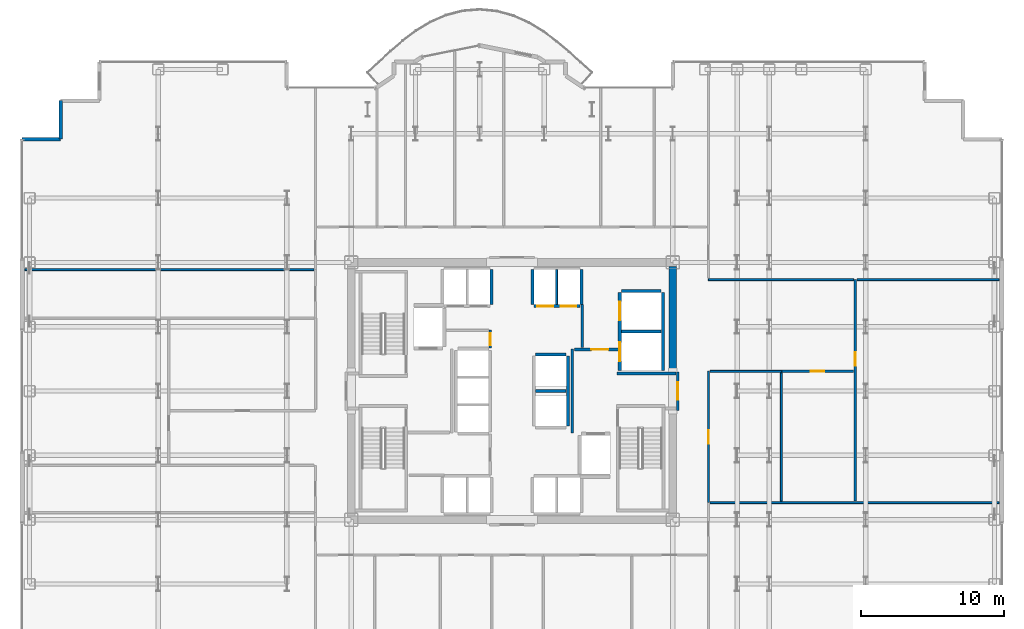
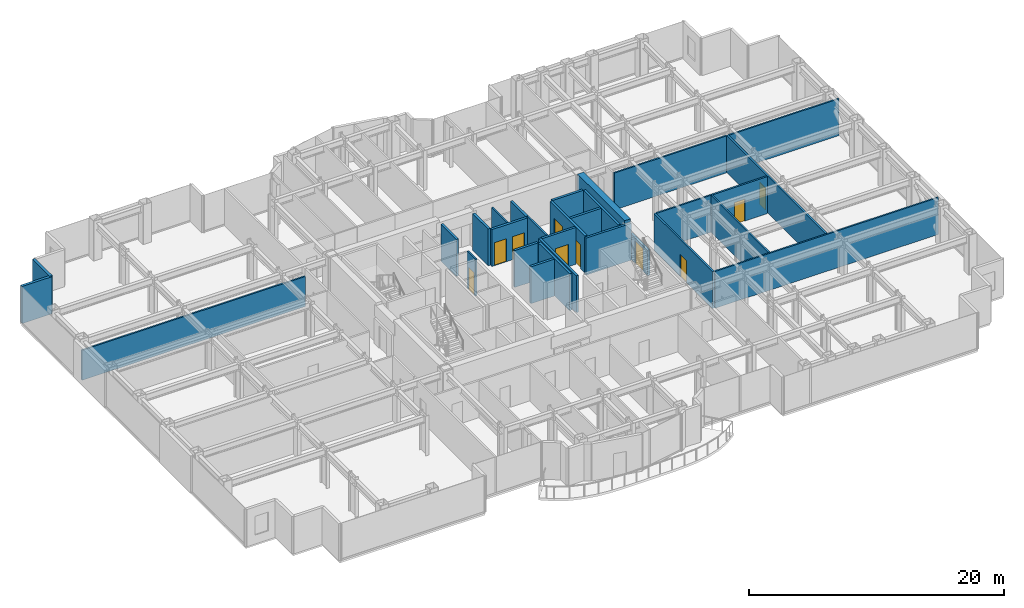
# One storey, part 25 of 29: 30 walls, 10 doors, 10 openings.
"""IFC4 building model written with IfcOpenShell, lengths in metres."""

import ifcopenshell
import ifcopenshell.guid

model = None  # the IFC model being written
_history = None  # IfcOwnerHistory: only IFC2X3 demands one
_inside = {}  # id of a spatial element -> (the spatial element, [elements in it])
_under = {}  # id of a project, library or spatial element -> (it, [spatial elements below it])
_declared = {}  # id of a project -> (the project, [libraries it declares])
_typed = {}  # id of a type object -> (the type object, [elements of that type])
_made_of = {}  # id of a material, layer set ... -> (it, [elements and type objects made of it])


def new_model(schema):
    """Start an empty IFC model of exactly this schema.

    Asked for "IFC4X3", IfcOpenShell would pick the latest addendum, in which some entities
    have other attributes; the version numbers below select the first issue.
    IFC2X3 requires an IfcOwnerHistory on every rooted entity: one is made here for all.
    """
    global model, _history
    if schema == "IFC4X3":
        model = ifcopenshell.file(schema_version=(4, 3, 0, 0))
    else:
        model = ifcopenshell.file(schema=schema)
    _inside.clear()
    _under.clear()
    _declared.clear()
    _typed.clear()
    _made_of.clear()
    _history = None
    if model.schema == "IFC2X3":
        org = make("IfcOrganization", Name="unknown")
        user = make(
            "IfcPersonAndOrganization",
            ThePerson=make("IfcPerson", FamilyName="unknown"),
            TheOrganization=org,
        )
        app = make(
            "IfcApplication",
            ApplicationDeveloper=org,
            Version="unknown",
            ApplicationFullName="unknown",
            ApplicationIdentifier="unknown",
        )
        _history = make(
            "IfcOwnerHistory",
            OwningUser=user,
            OwningApplication=app,
            ChangeAction="ADDED",
            CreationDate=0,
        )
    return model


def make(cls, **values):
    """One entity of the class cls with the attributes given. An attribute that is None is left unset."""
    return model.create_entity(
        cls, **{name: value for name, value in values.items() if value is not None}
    )


def rooted(cls, **values):
    """An entity with a GlobalId (a new one), such as an element, a storey or a relation."""
    return make(cls, GlobalId=ifcopenshell.guid.new(), OwnerHistory=_history, **values)


def si_unit(unit_type, name, prefix=None):
    """IfcSIUnit, for example si_unit("LENGTHUNIT", "METRE", prefix="MILLI")."""
    return make("IfcSIUnit", UnitType=unit_type, Prefix=prefix, Name=name)


def assignment(units):
    """IfcUnitAssignment: the units of a project."""
    return None if units is None else make("IfcUnitAssignment", Units=units)


def point(xyz):
    """IfcCartesianPoint."""
    return None if xyz is None else make("IfcCartesianPoint", Coordinates=xyz)


def direction(xyz):
    """IfcDirection."""
    return None if xyz is None else make("IfcDirection", DirectionRatios=xyz)


def frame(location, z_axis=None, x_axis=None):
    """IfcAxis2Placement3D, a coordinate frame: its origin and axes. An axis left out is left unset."""
    return make(
        "IfcAxis2Placement3D",
        Location=point(location),
        Axis=direction(z_axis),
        RefDirection=direction(x_axis),
    )


def frame_2d(location, x_axis=None):
    """IfcAxis2Placement2D, a coordinate frame in the plane: its origin and x axis."""
    return make(
        "IfcAxis2Placement2D", Location=point(location), RefDirection=direction(x_axis)
    )


def origin():
    """The frame at (0, 0, 0) with its axes left unset."""
    return frame((0.0, 0.0, 0.0))


def place(relative_to, where):
    """IfcLocalPlacement: puts the frame where relative to a parent placement (None: the world)."""
    return make(
        "IfcLocalPlacement", PlacementRelTo=relative_to, RelativePlacement=where
    )


def context(
    kind, dimensions, precision=None, world=None, true_north=None, identifier=None
):
    """IfcGeometricRepresentationContext, for example the 3D "Model" context."""
    return make(
        "IfcGeometricRepresentationContext",
        ContextIdentifier=identifier,
        ContextType=kind,
        CoordinateSpaceDimension=dimensions,
        Precision=precision,
        WorldCoordinateSystem=world,
        TrueNorth=true_north,
    )


def subcontext(parent, identifier, kind, view, scale=None):
    """IfcGeometricRepresentationSubContext, for example "Body" below "Model"."""
    return make(
        "IfcGeometricRepresentationSubContext",
        ContextIdentifier=identifier,
        ContextType=kind,
        ParentContext=parent,
        TargetScale=scale,
        TargetView=view,
    )


def project(units=None, contexts=None):
    """IfcProject with its units and contexts."""
    return rooted(
        "IfcProject",
        Name="project",
        RepresentationContexts=contexts,
        UnitsInContext=assignment(units),
    )


def spatial(cls, under=None, at=None, **own):
    """A site, building, storey or space (cls), placed at a placement, below another one or the project."""
    s = rooted(cls, ObjectPlacement=at, **own)
    if under is not None:
        _under.setdefault(under.id(), (under, []))[1].append(s)
    return s


def profile(cls, at=None, kind="AREA", **sizes):
    """A parametric profile (cls). Its sizes go by their IFC names, for example OverallWidth=200.0."""
    return make(cls, ProfileType=kind, Position=at, **sizes)


def rectangle(**sizes):
    """IfcRectangleProfileDef."""
    return profile("IfcRectangleProfileDef", **sizes)


def extrude(swept, where, along, depth):
    """IfcExtrudedAreaSolid: the profile swept, set in the frame where, extruded along a direction by depth."""
    return make(
        "IfcExtrudedAreaSolid",
        SweptArea=swept,
        Position=where,
        ExtrudedDirection=direction(along),
        Depth=depth,
    )


def shape(context_of_items, identifier, shape_type, items):
    """IfcShapeRepresentation: the items that make up one representation, for example the "Body"."""
    return make(
        "IfcShapeRepresentation",
        ContextOfItems=context_of_items,
        RepresentationIdentifier=identifier,
        RepresentationType=shape_type,
        Items=items,
    )


def source(mapping_origin, context_of_items, identifier, shape_type, items):
    """IfcRepresentationMap: a shape defined once, which mapped items show again and again."""
    return make(
        "IfcRepresentationMap",
        MappingOrigin=mapping_origin,
        MappedRepresentation=shape(context_of_items, identifier, shape_type, items),
    )


def transform(
    local_origin,
    x_axis=None,
    y_axis=None,
    z_axis=None,
    scale=None,
    scale2=None,
    scale3=None,
    uniform=True,
):
    """IfcCartesianTransformationOperator3D, or its non-uniform kind. x_axis, y_axis, z_axis: its Axis1, 2, 3."""
    if uniform:
        return make(
            "IfcCartesianTransformationOperator3D",
            Axis1=direction(x_axis),
            Axis2=direction(y_axis),
            LocalOrigin=point(local_origin),
            Scale=scale,
            Axis3=direction(z_axis),
        )
    return make(
        "IfcCartesianTransformationOperator3DnonUniform",
        Axis1=direction(x_axis),
        Axis2=direction(y_axis),
        LocalOrigin=point(local_origin),
        Scale=scale,
        Axis3=direction(z_axis),
        Scale2=scale2,
        Scale3=scale3,
    )


def mapped(mapping_source, mapping_target):
    """IfcMappedItem: shows the shape of a source again, moved by a transform."""
    return make(
        "IfcMappedItem", MappingSource=mapping_source, MappingTarget=mapping_target
    )


def material(Name=None, Category=None):
    """IfcMaterial."""
    return make("IfcMaterial", Name=Name, Category=Category)


def layer(
    of_material, thickness, ventilated=None, Name=None, Category=None, Priority=None
):
    """IfcMaterialLayer: one layer of a wall or slab, of a material (None: an air gap)."""
    return make(
        "IfcMaterialLayer",
        Material=of_material,
        LayerThickness=thickness,
        IsVentilated=ventilated,
        Name=Name,
        Category=Category,
        Priority=Priority,
    )


def layer_set(layers, Name=None):
    """IfcMaterialLayerSet."""
    return make("IfcMaterialLayerSet", MaterialLayers=layers, LayerSetName=Name)


def made_of(thing, what):
    """Note that an element or type object is made of a material, layer set ...; save() writes the relation."""
    if what is not None:
        _made_of.setdefault(what.id(), (what, []))[1].append(thing)
    return thing


def type_object(cls, material=None, **own):
    """A type object (cls), such as IfcWallType, which elements share."""
    return made_of(rooted(cls, **own), material)


def element(
    cls,
    number,
    at=None,
    inside=None,
    cuts=None,
    type_object=None,
    material=None,
    context=None,
    identifier="Body",
    shape_type=None,
    held_by="IfcProductDefinitionShape",
    body=None,
    shapes=None,
    **own,
):
    """One element of the class cls, such as IfcWall. Its Tag is "e" and its number.

    at: its placement. inside: the storey or other place that contains it. cuts: it is an
    opening in that element (IfcRelVoidsElement). A single representation is given by context,
    identifier, shape_type and body (its items); several are given by shapes. held_by: the class
    of the entity that holds the representations. save() writes the other relations.
    """
    e = rooted(cls, Tag="e%d" % number, ObjectPlacement=at, **own)
    if body is not None:
        shapes = [shape(context, identifier, shape_type, body)]
    if shapes is not None:
        e.Representation = make(held_by, Representations=shapes)
    if inside is not None:
        _inside.setdefault(inside.id(), (inside, []))[1].append(e)
    if cuts is not None:
        rooted(
            "IfcRelVoidsElement", RelatingBuildingElement=cuts, RelatedOpeningElement=e
        )
    if type_object is not None:
        _typed.setdefault(type_object.id(), (type_object, []))[1].append(e)
    return made_of(e, material)


def fill(opening, filler):
    """IfcRelFillsElement: the door or window that sits in an opening."""
    return rooted(
        "IfcRelFillsElement",
        RelatingOpeningElement=opening,
        RelatedBuildingElement=filler,
    )


def aggregate(whole, parts):
    """IfcRelAggregates: a whole, such as a stair, and the parts it consists of."""
    return rooted("IfcRelAggregates", RelatingObject=whole, RelatedObjects=parts)


def save(model, path):
    """Write the relations noted so far, then the file.

    IfcRelAggregates (storeys below a building ...), IfcRelContainedInSpatialStructure (elements
    in a storey), IfcRelDefinesByType, IfcRelAssociatesMaterial and IfcRelDeclares: one each for
    every whole, place, type object, material and project.
    """
    for whole, parts in _under.values():
        aggregate(whole, parts)
    for where, things in _inside.values():
        rooted(
            "IfcRelContainedInSpatialStructure",
            RelatedElements=things,
            RelatingStructure=where,
        )
    for kind, things in _typed.values():
        rooted("IfcRelDefinesByType", RelatedObjects=things, RelatingType=kind)
    for what, things in _made_of.values():
        rooted("IfcRelAssociatesMaterial", RelatedObjects=things, RelatingMaterial=what)
    for by, libraries in _declared.values():
        rooted("IfcRelDeclares", RelatingContext=by, RelatedDefinitions=libraries)
    model.write(path)


model = new_model("IFC4")

# Units and contexts
model_context = context("Model", 3, precision=1e-05, world=origin(), true_north=direction((0.0, 1.0)))
body_context = subcontext(model_context, "Body", "Model", "MODEL_VIEW")
ifc_project = project(units=[si_unit("LENGTHUNIT", "METRE"), si_unit("AREAUNIT", "SQUARE_METRE"), si_unit("VOLUMEUNIT", "CUBIC_METRE"), si_unit("PLANEANGLEUNIT", "RADIAN"), si_unit("MASSUNIT", "GRAM", prefix="KILO")], contexts=[model_context])

# Site, building, storey
site_placement = place(None, origin())
site = spatial("IfcSite", under=ifc_project, at=site_placement, CompositionType="ELEMENT")
building_placement = place(site_placement, origin())
building = spatial("IfcBuilding", under=site, at=building_placement, Name="Nefas-Gora Pilgrimage Tower", CompositionType="ELEMENT")
storey_placement = place(building_placement, frame((0.0, 0.0, 113.60009765625)))
storey = spatial("IfcBuildingStorey", under=building, at=storey_placement, Name="L27", CompositionType="ELEMENT", Elevation=113.60009765625)

# Walls
ifc_material_1 = material(Name="Concrete C60/75", Category="concrete")
ifc_layer_1 = layer(ifc_material_1, 0.550048828125)
ifc_layer_set_1 = layer_set([ifc_layer_1], Name="Concrete C60/75")
wall_type_1 = type_object("IfcWallType", Name="SW-CORE-550", PredefinedType="SHEAR", material=ifc_layer_set_1)
shared_shape_1 = source(origin(), body_context, "Body", "SweptSolid", [
    extrude(rectangle(XDim=7.375, YDim=0.550048828125, at=frame_2d((3.6875, 0.0))), origin(), (0.0, 0.0, 1.0), 3.7998046875),
])
wall_1_placement = place(storey_placement, frame((11.25, 1.35009765625, 0.0), z_axis=(0.0, 0.0, 1.0), x_axis=(0.0, 1.0, 0.0)))
element("IfcWall", 1, at=wall_1_placement, inside=storey, type_object=wall_type_1, Name="L27 Core Shear Wall E-North", PredefinedType="SHEAR", context=body_context, shape_type="MappedRepresentation", body=[
    mapped(shared_shape_1, transform((0.0, 0.0, 0.0), x_axis=(1.0, 0.0, 0.0), y_axis=(0.0, 1.0, 0.0), z_axis=(0.0, 0.0, 1.0), scale=1.0)),
])
ifc_material_2 = material(Name="Precast concrete C45/55", Category="concrete")
ifc_layer_2 = layer(ifc_material_2, 0.239990234375)
ifc_layer_set_2 = layer_set([ifc_layer_2], Name="Precast concrete C45/55")
wall_type_2 = type_object("IfcWallType", Name="EW-SERR-240", PredefinedType="SHEAR", material=ifc_layer_set_2)
shared_shape_2 = source(origin(), body_context, "Body", "SweptSolid", [
    extrude(rectangle(XDim=2.699951171875, YDim=0.239990234375, at=frame_2d((1.35009765625, 0.0))), origin(), (0.0, 0.0, 1.0), 3.5498046875),
])
for number, where, z_axis, x_axis, name in (
    (2, (-31.570068359375, 20.320068359375, 0.0), (0.0, 0.0, 1.0), (0.0, -1.0, 0.0), "L27 Serrated Corner Shear Pier Wall 27"),
    (3, (-31.570068359375, 17.6201171875, 0.0), (0.0, 0.0, 1.0), (-1.0, 0.0, 0.0), "L27 Serrated Corner Shear Pier Wall 28"),
):
    element("IfcWall", number, at=place(storey_placement, frame(where, z_axis=z_axis, x_axis=x_axis)), inside=storey, type_object=wall_type_2, Name=name, PredefinedType="SHEAR", context=body_context, shape_type="MappedRepresentation", body=[
        mapped(shared_shape_2, transform((0.0, 0.0, 0.0), x_axis=(1.0, 0.0, 0.0), y_axis=(0.0, 1.0, 0.0), z_axis=(0.0, 0.0, 1.0), scale=1.0)),
    ])

# Wall, openings, doors
ifc_material_3 = material(Name="Concrete C40/50", Category="concrete")
ifc_layer_3 = layer(ifc_material_3, 0.219970703125)
ifc_layer_set_3 = layer_set([ifc_layer_3], Name="Concrete C40/50")
wall_type_3 = type_object("IfcWallType", Name="IW-SHAFT-220", PredefinedType="SOLIDWALL", material=ifc_layer_set_3)
shared_shape_3 = source(origin(), body_context, "Body", "SweptSolid", [
    extrude(rectangle(XDim=5.449951171875, YDim=0.219970703125, at=frame_2d((2.72509765625, 0.0))), origin(), (0.0, 0.0, 1.0), 3.534912109375),
])
wall_2_placement = place(storey_placement, frame((7.5400390625, 6.89990234375, 0.0), z_axis=(0.0, 0.0, 1.0), x_axis=(0.0, -1.0, 0.0)))
wall_2 = element("IfcWall", 4, at=wall_2_placement, inside=storey, type_object=wall_type_3, Name="L27 Hoistway Wall SL-01-02-W", PredefinedType="SOLIDWALL", context=body_context, shape_type="MappedRepresentation", body=[
    mapped(shared_shape_3, transform((0.0, 0.0, 0.0), x_axis=(1.0, 0.0, 0.0), y_axis=(0.0, 1.0, 0.0), z_axis=(0.0, 0.0, 1.0), scale=1.0)),
])
opening_1_placement = place(wall_2_placement, frame((3.5, 0.0, 0.0)))
opening_1 = element("IfcOpeningElement", 5, at=opening_1_placement, cuts=wall_2, Name="Opening LD-SV", PredefinedType="OPENING", context=body_context, shape_type="SweptSolid", body=[
    extrude(rectangle(XDim=1.300048828125, YDim=2.300048828125, at=frame_2d((0.64990234375, 1.14990234375))), frame((0.0, 0.119873046875, 0.0), z_axis=(0.0, -1.0, 0.0), x_axis=(1.0, 0.0, 0.0)), (0.0, 0.0, 1.0), 0.239990234375),
])
opening_2_placement = place(wall_2_placement, frame((0.64990234375, 0.0, 0.0)))
opening_2 = element("IfcOpeningElement", 6, at=opening_2_placement, cuts=wall_2, Name="Opening LD-SV", PredefinedType="OPENING", context=body_context, shape_type="SweptSolid", body=[
    extrude(rectangle(XDim=1.300048828125, YDim=2.300048828125, at=frame_2d((0.64990234375, 1.14990234375))), frame((0.0, 0.119873046875, 0.0), z_axis=(0.0, -1.0, 0.0), x_axis=(1.0, 0.0, 0.0)), (0.0, 0.0, 1.0), 0.239990234375),
])
ifc_material_4 = material(Name="Heavy goods sliding lift landing door")
door_type_1 = type_object("IfcDoorType", Name="DR-LIFT-SERV-1300", OperationType="SLIDING_TO_RIGHT", PredefinedType="DOOR", material=ifc_material_4)
shared_shape_4 = source(origin(), body_context, "Body", "SweptSolid", [
    extrude(rectangle(XDim=1.300048828125, YDim=2.300048828125, at=frame_2d((0.64990234375, 1.14990234375))), frame((0.0, 0.02490234375, 0.0), z_axis=(0.0, -1.0, 0.0), x_axis=(1.0, 0.0, 0.0)), (0.0, 0.0, 1.0), 0.050048828125),
])
door_1_placement = place(opening_1_placement, origin())
door_1 = element("IfcDoor", 7, at=door_1_placement, inside=storey, type_object=door_type_1, Name="L27 Sliding Lift Landing Door SL-01", OperationType="SLIDING_TO_RIGHT", OverallHeight=2.300048828125, OverallWidth=1.300048828125, PredefinedType="DOOR", context=body_context, shape_type="MappedRepresentation", body=[
    mapped(shared_shape_4, transform((0.0, 0.0, 0.0), x_axis=(1.0, 0.0, 0.0), y_axis=(0.0, 1.0, 0.0), z_axis=(0.0, 0.0, 1.0), scale=1.0)),
])
fill(opening_1, door_1)
door_2_placement = place(opening_2_placement, origin())
door_2 = element("IfcDoor", 8, at=door_2_placement, inside=storey, type_object=door_type_1, Name="L27 Sliding Lift Landing Door SL-02", OperationType="SLIDING_TO_RIGHT", OverallHeight=2.300048828125, OverallWidth=1.300048828125, PredefinedType="DOOR", context=body_context, shape_type="MappedRepresentation", body=[
    mapped(shared_shape_4, transform((0.0, 0.0, 0.0), x_axis=(1.0, 0.0, 0.0), y_axis=(0.0, 1.0, 0.0), z_axis=(0.0, 0.0, 1.0), scale=1.0)),
])
fill(opening_2, door_2)

# Walls
wall_3_placement = place(storey_placement, frame((10.56005859375, 1.449951171875, 0.0), z_axis=(0.0, 0.0, 1.0), x_axis=(0.0, 1.0, 0.0)))
element("IfcWall", 9, at=wall_3_placement, inside=storey, type_object=wall_type_3, Name="L27 Hoistway Wall SL-01-02-E", PredefinedType="SOLIDWALL", context=body_context, shape_type="MappedRepresentation", body=[
    mapped(shared_shape_3, transform((0.0, 0.0, 0.0), x_axis=(1.0, 0.0, 0.0), y_axis=(0.0, 1.0, 0.0), z_axis=(0.0, 0.0, 1.0), scale=1.0)),
])
shared_shape_5 = source(origin(), body_context, "Body", "SweptSolid", [
    extrude(rectangle(XDim=2.780029296875, YDim=0.219970703125, at=frame_2d((1.39013671875, 0.0))), origin(), (0.0, 0.0, 1.0), 3.534912109375),
])
for number, where, z_axis, x_axis, name in (
    (10, (7.659912109375, 4.175048828125, 0.0), (0.0, 0.0, 1.0), (1.0, 0.0, 0.0), "L27 Hoistway Wall SL-01-02-DIV"),
    (11, (10.43994140625, 7.010009765625, 0.0), (0.0, 0.0, 1.0), (-1.0, 0.0, 0.0), "L27 Hoistway Wall SL-02-N"),
):
    element("IfcWall", number, at=place(storey_placement, frame(where, z_axis=z_axis, x_axis=x_axis)), inside=storey, type_object=wall_type_3, Name=name, PredefinedType="SOLIDWALL", context=body_context, shape_type="MappedRepresentation", body=[
        mapped(shared_shape_5, transform((0.0, 0.0, 0.0), x_axis=(1.0, 0.0, 0.0), y_axis=(0.0, 1.0, 0.0), z_axis=(0.0, 0.0, 1.0), scale=1.0)),
    ])

# Wall, openings, doors
shared_shape_6 = source(origin(), body_context, "Body", "SweptSolid", [
    extrude(rectangle(XDim=3.199951171875, YDim=0.219970703125, at=frame_2d((1.60009765625, 0.0))), origin(), (0.0, 0.0, 1.0), 3.534912109375),
])
wall_4_placement = place(storey_placement, frame((1.550048828125, 5.93994140625, 0.0), z_axis=(0.0, 0.0, 1.0), x_axis=(1.0, 0.0, 0.0)))
wall_4 = element("IfcWall", 12, at=wall_4_placement, inside=storey, type_object=wall_type_3, Name="L27 Hoistway Wall PL1-E-S", PredefinedType="SOLIDWALL", context=body_context, shape_type="MappedRepresentation", body=[
    mapped(shared_shape_6, transform((0.0, 0.0, 0.0), x_axis=(1.0, 0.0, 0.0), y_axis=(0.0, 1.0, 0.0), z_axis=(0.0, 0.0, 1.0), scale=1.0)),
])
opening_3_placement = place(wall_4_placement, frame((0.22509765625, 0.0, 0.0)))
opening_3 = element("IfcOpeningElement", 13, at=opening_3_placement, cuts=wall_4, Name="Opening LD-01", PredefinedType="OPENING", context=body_context, shape_type="SweptSolid", body=[
    extrude(rectangle(XDim=1.10009765625, YDim=2.199951171875, at=frame_2d((0.550048828125, 1.10009765625))), frame((0.0, 0.119873046875, 0.0), z_axis=(0.0, -1.0, 0.0), x_axis=(1.0, 0.0, 0.0)), (0.0, 0.0, 1.0), 0.239990234375),
])
opening_4_placement = place(wall_4_placement, frame((1.85009765625, 0.0, 0.0)))
opening_4 = element("IfcOpeningElement", 14, at=opening_4_placement, cuts=wall_4, Name="Opening LD-01", PredefinedType="OPENING", context=body_context, shape_type="SweptSolid", body=[
    extrude(rectangle(XDim=1.10009765625, YDim=2.199951171875, at=frame_2d((0.550048828125, 1.10009765625))), frame((0.0, 0.119873046875, 0.0), z_axis=(0.0, -1.0, 0.0), x_axis=(1.0, 0.0, 0.0)), (0.0, 0.0, 1.0), 0.239990234375),
])
ifc_material_5 = material(Name="Brushed stainless sliding lift landing door")
door_type_2 = type_object("IfcDoorType", Name="DR-LIFT-PASS-1100", OperationType="DOUBLE_DOOR_SLIDING", PredefinedType="DOOR", material=ifc_material_5)
shared_shape_7 = source(origin(), body_context, "Body", "SweptSolid", [
    extrude(rectangle(XDim=1.10009765625, YDim=2.199951171875, at=frame_2d((0.550048828125, 1.10009765625))), frame((0.0, 0.02490234375, 0.0), z_axis=(0.0, -1.0, 0.0), x_axis=(1.0, 0.0, 0.0)), (0.0, 0.0, 1.0), 0.050048828125),
])
door_3_placement = place(opening_3_placement, origin())
door_3 = element("IfcDoor", 15, at=door_3_placement, inside=storey, type_object=door_type_2, Name="L27 Sliding Lift Landing Door PL1-03", OperationType="DOUBLE_DOOR_SLIDING", OverallHeight=2.199951171875, OverallWidth=1.10009765625, PredefinedType="DOOR", context=body_context, shape_type="MappedRepresentation", body=[
    mapped(shared_shape_7, transform((0.0, 0.0, 0.0), x_axis=(1.0, 0.0, 0.0), y_axis=(0.0, 1.0, 0.0), z_axis=(0.0, 0.0, 1.0), scale=1.0)),
])
fill(opening_3, door_3)
door_4_placement = place(opening_4_placement, origin())
door_4 = element("IfcDoor", 16, at=door_4_placement, inside=storey, type_object=door_type_2, Name="L27 Sliding Lift Landing Door PL1-04", OperationType="DOUBLE_DOOR_SLIDING", OverallHeight=2.199951171875, OverallWidth=1.10009765625, PredefinedType="DOOR", context=body_context, shape_type="MappedRepresentation", body=[
    mapped(shared_shape_7, transform((0.0, 0.0, 0.0), x_axis=(1.0, 0.0, 0.0), y_axis=(0.0, 1.0, 0.0), z_axis=(0.0, 0.0, 1.0), scale=1.0)),
])
fill(opening_4, door_4)

# Walls
shared_shape_8 = source(origin(), body_context, "Body", "SweptSolid", [
    extrude(rectangle(XDim=2.429931640625, YDim=0.219970703125, at=frame_2d((1.21484375, 0.0))), origin(), (0.0, 0.0, 1.0), 3.534912109375),
])
for number, where, z_axis, x_axis, name in (
    (17, (-1.43994140625, 6.06005859375, 0.0), (0.0, 0.0, 1.0), (0.0, 1.0, 0.0), "L27 Hoistway Wall PL1-W-E"),
    (18, (1.43994140625, 8.489990234375, 0.0), (0.0, 0.0, 1.0), (0.0, -1.0, 0.0), "L27 Hoistway Wall PL1-E-W"),
    (19, (4.860107421875, 6.06005859375, 0.0), (0.0, 0.0, 1.0), (0.0, 1.0, 0.0), "L27 Hoistway Wall PL1-E-E"),
):
    element("IfcWall", number, at=place(storey_placement, frame(where, z_axis=z_axis, x_axis=x_axis)), inside=storey, type_object=wall_type_3, Name=name, PredefinedType="SOLIDWALL", context=body_context, shape_type="MappedRepresentation", body=[
        mapped(shared_shape_8, transform((0.0, 0.0, 0.0), x_axis=(1.0, 0.0, 0.0), y_axis=(0.0, 1.0, 0.0), z_axis=(0.0, 0.0, 1.0), scale=1.0)),
    ])
ifc_material_6 = material(Name="Gypsum twin-stud partition")
ifc_layer_4 = layer(ifc_material_6, 0.139892578125)
ifc_layer_set_4 = layer_set([ifc_layer_4], Name="Gypsum twin-stud partition")
wall_type_4 = type_object("IfcWallType", Name="IW-UNIT-140", PredefinedType="PARTITIONING", material=ifc_layer_set_4)
shared_shape_9 = source(origin(), body_context, "Body", "SweptSolid", [
    extrude(rectangle(XDim=2.429931640625, YDim=0.139892578125, at=frame_2d((1.21484375, 0.0))), origin(), (0.0, 0.0, 1.0), 3.534912109375),
])
wall_5_placement = place(storey_placement, frame((3.125, 6.06005859375, 0.0), z_axis=(0.0, 0.0, 1.0), x_axis=(0.0, 1.0, 0.0)))
element("IfcWall", 20, at=wall_5_placement, inside=storey, type_object=wall_type_4, Name="L27 Hoistway Wall PL1-E-DIV", PredefinedType="PARTITIONING", context=body_context, shape_type="MappedRepresentation", body=[
    mapped(shared_shape_9, transform((0.0, 0.0, 0.0), x_axis=(1.0, 0.0, 0.0), y_axis=(0.0, 1.0, 0.0), z_axis=(0.0, 0.0, 1.0), scale=1.0)),
])
shared_shape_10 = source(origin(), body_context, "Body", "SweptSolid", [
    extrude(rectangle(XDim=2.130126953125, YDim=0.219970703125, at=frame_2d((1.06494140625, 0.0))), origin(), (0.0, 0.0, 1.0), 3.534912109375),
])
for number, where, z_axis, x_axis, name in (
    (21, (1.659912109375, 0.0, 0.0), (0.0, 0.0, 1.0), (1.0, 0.0, 0.0), "L27 Hoistway Wall OBS-01-02-DIV"),
    (22, (3.7900390625, 2.56005859375, 0.0), (0.0, 0.0, 1.0), (-1.0, 0.0, 0.0), "L27 Hoistway Wall OBS-02-N"),
):
    element("IfcWall", number, at=place(storey_placement, frame(where, z_axis=z_axis, x_axis=x_axis)), inside=storey, type_object=wall_type_3, Name=name, PredefinedType="SOLIDWALL", context=body_context, shape_type="MappedRepresentation", body=[
        mapped(shared_shape_10, transform((0.0, 0.0, 0.0), x_axis=(1.0, 0.0, 0.0), y_axis=(0.0, 1.0, 0.0), z_axis=(0.0, 0.0, 1.0), scale=1.0)),
    ])
shared_shape_11 = source(origin(), body_context, "Body", "SweptSolid", [
    extrude(rectangle(XDim=4.89990234375, YDim=0.219970703125, at=frame_2d((2.449951171875, 0.0))), origin(), (0.0, 0.0, 1.0), 3.534912109375),
])
wall_6_placement = place(storey_placement, frame((3.909912109375, -2.449951171875, 0.0), z_axis=(0.0, 0.0, 1.0), x_axis=(0.0, 1.0, 0.0)))
element("IfcWall", 23, at=wall_6_placement, inside=storey, type_object=wall_type_3, Name="L27 Hoistway Wall OBS-01-02-E", PredefinedType="SOLIDWALL", context=body_context, shape_type="MappedRepresentation", body=[
    mapped(shared_shape_11, transform((0.0, 0.0, 0.0), x_axis=(1.0, 0.0, 0.0), y_axis=(0.0, 1.0, 0.0), z_axis=(0.0, 0.0, 1.0), scale=1.0)),
])
ifc_material_7 = material(Name="Gypsum fire-rated shaftwall")
ifc_layer_5 = layer(ifc_material_7, 0.199951171875)
ifc_layer_set_5 = layer_set([ifc_layer_5], Name="Gypsum fire-rated shaftwall")
wall_type_5 = type_object("IfcWallType", Name="IW-FFLOB-200", PredefinedType="PARTITIONING", material=ifc_layer_set_5)
shared_shape_12 = source(origin(), body_context, "Body", "SweptSolid", [
    extrude(rectangle(XDim=5.89990234375, YDim=0.199951171875, at=frame_2d((2.949951171875, 0.0))), origin(), (0.0, 0.0, 1.0), 3.534912109375),
])
wall_7_placement = place(storey_placement, frame((4.219970703125, -2.949951171875, 0.0), z_axis=(0.0, 0.0, 1.0), x_axis=(0.0, 1.0, 0.0)))
element("IfcWall", 24, at=wall_7_placement, inside=storey, type_object=wall_type_5, Name="L27 FF Lobby East Inner Wall Wall 9", PredefinedType="PARTITIONING", context=body_context, shape_type="MappedRepresentation", body=[
    mapped(shared_shape_12, transform((0.0, 0.0, 0.0), x_axis=(1.0, 0.0, 0.0), y_axis=(0.0, 1.0, 0.0), z_axis=(0.0, 0.0, 1.0), scale=1.0)),
])

# Wall, opening, door
shared_shape_13 = source(origin(), body_context, "Body", "SweptSolid", [
    extrude(rectangle(XDim=3.039794921875, YDim=0.199951171875, at=frame_2d((1.52001953125, 0.0))), origin(), (0.0, 0.0, 1.0), 3.534912109375),
])
wall_8_placement = place(storey_placement, frame((4.360107421875, 2.89990234375, 0.0), z_axis=(0.0, 0.0, 1.0), x_axis=(1.0, 0.0, 0.0)))
wall_8 = element("IfcWall", 25, at=wall_8_placement, inside=storey, type_object=wall_type_5, Name="L27 FF Lobby East North Wall Wall 10", PredefinedType="PARTITIONING", context=body_context, shape_type="MappedRepresentation", body=[
    mapped(shared_shape_13, transform((0.0, 0.0, 0.0), x_axis=(1.0, 0.0, 0.0), y_axis=(0.0, 1.0, 0.0), z_axis=(0.0, 0.0, 1.0), scale=1.0)),
])
opening_5_placement = place(wall_8_placement, frame((1.18994140625, 0.0, 0.0)))
opening_5 = element("IfcOpeningElement", 26, at=opening_5_placement, cuts=wall_8, Name="Opening ID-PL1", PredefinedType="OPENING", context=body_context, shape_type="SweptSolid", body=[
    extrude(rectangle(XDim=1.199951171875, YDim=2.14990234375, at=frame_2d((0.60009765625, 1.074951171875))), frame((0.0, 0.10986328125, 0.0), z_axis=(0.0, -1.0, 0.0), x_axis=(1.0, 0.0, 0.0)), (0.0, 0.0, 1.0), 0.219970703125),
])
ifc_material_8 = material(Name="Heavy-duty steel plant room fire door", Category="steel")
door_type_3 = type_object("IfcDoorType", Name="DR-INT-PLANT-1200", OperationType="NOTDEFINED", PredefinedType="DOOR", material=ifc_material_8)
shared_shape_14 = source(origin(), body_context, "Body", "SweptSolid", [
    extrude(rectangle(XDim=1.199951171875, YDim=2.14990234375, at=frame_2d((0.60009765625, 1.074951171875))), frame((0.0, 0.02490234375, 0.0), z_axis=(0.0, -1.0, 0.0), x_axis=(1.0, 0.0, 0.0)), (0.0, 0.0, 1.0), 0.050048828125),
])
door_5_placement = place(opening_5_placement, origin())
door_5 = element("IfcDoor", 27, at=door_5_placement, inside=storey, type_object=door_type_3, Name="L27 Service Lift Lobby Door Door 3", OperationType="SINGLE_SWING_LEFT", OverallHeight=2.14990234375, OverallWidth=1.199951171875, PredefinedType="DOOR", context=body_context, shape_type="MappedRepresentation", body=[
    mapped(shared_shape_14, transform((0.0, 0.0, 0.0), x_axis=(1.0, 0.0, 0.0), y_axis=(0.0, 1.0, 0.0), z_axis=(0.0, 0.0, 1.0), scale=1.0)),
])
fill(opening_5, door_5)

# Walls
shared_shape_15 = source(origin(), body_context, "Body", "SweptSolid", [
    extrude(rectangle(XDim=4.10986328125, YDim=0.199951171875, at=frame_2d((2.054931640625, 0.0))), origin(), (0.0, 0.0, 1.0), 3.534912109375),
])
wall_9_placement = place(storey_placement, frame((7.35009765625, 1.219970703125, 0.0), z_axis=(0.0, 0.0, 1.0), x_axis=(1.0, 0.0, 0.0)))
element("IfcWall", 28, at=wall_9_placement, inside=storey, type_object=wall_type_5, Name="L27 FF Lobby East Throat N Wall 11", PredefinedType="PARTITIONING", context=body_context, shape_type="MappedRepresentation", body=[
    mapped(shared_shape_15, transform((0.0, 0.0, 0.0), x_axis=(1.0, 0.0, 0.0), y_axis=(0.0, 1.0, 0.0), z_axis=(0.0, 0.0, 1.0), scale=1.0)),
])
ifc_material_9 = material(Name="Gypsum acoustic stud partition")
ifc_layer_6 = layer(ifc_material_9, 0.159912109375)
ifc_layer_set_6 = layer_set([ifc_layer_6], Name="Gypsum acoustic stud partition")
wall_type_6 = type_object("IfcWallType", Name="IW-CORR-160", PredefinedType="PARTITIONING", material=ifc_layer_set_6)
shared_shape_16 = source(origin(), body_context, "Body", "SweptSolid", [
    extrude(rectangle(XDim=3.014892578125, YDim=0.159912109375, at=frame_2d((1.50732421875, 0.0))), origin(), (0.0, 0.0, 1.0), 3.534912109375),
])
wall_10_placement = place(storey_placement, frame((4.919921875, 3.0400390625, 0.0), z_axis=(0.0, 0.0, 1.0), x_axis=(0.0, 1.0, 0.0)))
element("IfcWall", 29, at=wall_10_placement, inside=storey, type_object=wall_type_6, Name="L27 Service Lift Lobby West Wall Wall 15", PredefinedType="PARTITIONING", context=body_context, shape_type="MappedRepresentation", body=[
    mapped(shared_shape_16, transform((0.0, 0.0, 0.0), x_axis=(1.0, 0.0, 0.0), y_axis=(0.0, 1.0, 0.0), z_axis=(0.0, 0.0, 1.0), scale=1.0)),
])

# Wall, opening, door
shared_shape_17 = source(origin(), body_context, "Body", "SweptSolid", [
    extrude(rectangle(XDim=1.25, YDim=0.159912109375, at=frame_2d((0.625, 0.0))), origin(), (0.0, 0.0, 1.0), 3.534912109375),
])
wall_11_placement = place(storey_placement, frame((-1.52001953125, 3.010009765625, 0.0), z_axis=(0.0, 0.0, 1.0), x_axis=(0.0, 1.0, 0.0)))
wall_11 = element("IfcWall", 30, at=wall_11_placement, inside=storey, type_object=wall_type_6, Name="L27 Housekeeping and Linen Store Wall 16", PredefinedType="PARTITIONING", context=body_context, shape_type="MappedRepresentation", body=[
    mapped(shared_shape_17, transform((0.0, 0.0, 0.0), x_axis=(1.0, 0.0, 0.0), y_axis=(0.0, 1.0, 0.0), z_axis=(0.0, 0.0, 1.0), scale=1.0)),
])
opening_6_placement = place(wall_11_placement, frame((0.199951171875, 0.0, 0.0)))
opening_6 = element("IfcOpeningElement", 31, at=opening_6_placement, cuts=wall_11, Name="Opening ID-BT1", PredefinedType="OPENING", context=body_context, shape_type="SweptSolid", body=[
    extrude(rectangle(XDim=0.85009765625, YDim=2.10009765625, at=frame_2d((0.425048828125, 1.050048828125))), frame((0.0, 0.08984375, 0.0), z_axis=(0.0, -1.0, 0.0), x_axis=(1.0, 0.0, 0.0)), (0.0, 0.0, 1.0), 0.179931640625),
])
ifc_material_10 = material(Name="Moisture-resistant fire-rated timber door", Category="wood")
door_type_4 = type_object("IfcDoorType", Name="DR-INT-BATH-850", OperationType="NOTDEFINED", PredefinedType="DOOR", material=ifc_material_10)
shared_shape_18 = source(origin(), body_context, "Body", "SweptSolid", [
    extrude(rectangle(XDim=0.85009765625, YDim=2.10009765625, at=frame_2d((0.425048828125, 1.050048828125))), frame((0.0, 0.02490234375, 0.0), z_axis=(0.0, -1.0, 0.0), x_axis=(1.0, 0.0, 0.0)), (0.0, 0.0, 1.0), 0.050048828125),
])
door_6_placement = place(opening_6_placement, origin())
door_6 = element("IfcDoor", 32, at=door_6_placement, inside=storey, type_object=door_type_4, Name="L27 Housekeeping and Linen Store Door 6", OperationType="SINGLE_SWING_RIGHT", OverallHeight=2.10009765625, OverallWidth=0.85009765625, PredefinedType="DOOR", context=body_context, shape_type="MappedRepresentation", body=[
    mapped(shared_shape_18, transform((0.0, 0.0, 0.0), x_axis=(1.0, 0.0, 0.0), y_axis=(0.0, 1.0, 0.0), z_axis=(0.0, 0.0, 1.0), scale=1.0)),
])
fill(opening_6, door_6)

# Wall
shared_shape_19 = source(origin(), body_context, "Body", "SweptSolid", [
    extrude(rectangle(XDim=20.219970703125, YDim=0.139892578125, at=frame_2d((10.10986328125, 0.0))), origin(), (0.0, 0.0, 1.0), 3.534912109375),
])
wall_12_placement = place(storey_placement, frame((13.860107421875, -7.804931640625, 0.0), z_axis=(0.0, 0.0, 1.0), x_axis=(1.0, 0.0, 0.0)))
element("IfcWall", 33, at=wall_12_placement, inside=storey, type_object=wall_type_4, Name="L27 Pilgrim Fellowship Seminar Room Partition Wall 35", PredefinedType="PARTITIONING", context=body_context, shape_type="MappedRepresentation", body=[
    mapped(shared_shape_19, transform((0.0, 0.0, 0.0), x_axis=(1.0, 0.0, 0.0), y_axis=(0.0, 1.0, 0.0), z_axis=(0.0, 0.0, 1.0), scale=1.0)),
])

# Wall, opening, door
shared_shape_20 = source(origin(), body_context, "Body", "SweptSolid", [
    extrude(rectangle(XDim=2.7001953125, YDim=0.199951171875, at=frame_2d((1.35009765625, 0.0))), origin(), (0.0, 0.0, 1.0), 2.4248046875),
])
wall_13_placement = place(storey_placement, frame((11.60009765625, -1.35009765625, 0.0), z_axis=(0.0, 0.0, 1.0), x_axis=(0.0, 1.0, 0.0)))
wall_13 = element("IfcWall", 34, at=wall_13_placement, inside=storey, type_object=wall_type_5, Name="L27 FF Lobby East Portal Wall 8", PredefinedType="PARTITIONING", context=body_context, shape_type="MappedRepresentation", body=[
    mapped(shared_shape_20, transform((0.0, 0.0, 0.0), x_axis=(1.0, 0.0, 0.0), y_axis=(0.0, 1.0, 0.0), z_axis=(0.0, 0.0, 1.0), scale=1.0)),
])
opening_7_placement = place(wall_13_placement, frame((0.75, 0.0, 0.0)))
opening_7 = element("IfcOpeningElement", 35, at=opening_7_placement, cuts=wall_13, Name="Opening ID-FF1", PredefinedType="OPENING", context=body_context, shape_type="SweptSolid", body=[
    extrude(rectangle(XDim=1.199951171875, YDim=2.14990234375, at=frame_2d((0.60009765625, 1.074951171875))), frame((0.0, 0.10986328125, 0.0), z_axis=(0.0, -1.0, 0.0), x_axis=(1.0, 0.0, 0.0)), (0.0, 0.0, 1.0), 0.219970703125),
])
ifc_material_11 = material(Name="Smoke-sealed steel firefighting lobby door", Category="steel")
door_type_5 = type_object("IfcDoorType", Name="DR-INT-FFLOB-1200", OperationType="NOTDEFINED", PredefinedType="DOOR", material=ifc_material_11)
door_7_placement = place(opening_7_placement, origin())
door_7 = element("IfcDoor", 36, at=door_7_placement, inside=storey, type_object=door_type_5, Name="L27 FF Lobby East Portal Door 2", OperationType="SINGLE_SWING_RIGHT", OverallHeight=2.14990234375, OverallWidth=1.199951171875, PredefinedType="DOOR", context=body_context, shape_type="MappedRepresentation", body=[
    mapped(shared_shape_14, transform((0.0, 0.0, 0.0), x_axis=(1.0, 0.0, 0.0), y_axis=(0.0, 1.0, 0.0), z_axis=(0.0, 0.0, 1.0), scale=1.0)),
])
fill(opening_7, door_7)

# Walls
shared_shape_21 = source(origin(), body_context, "Body", "SweptSolid", [
    extrude(rectangle(XDim=10.169921875, YDim=0.139892578125, at=frame_2d((5.0849609375, 0.0))), origin(), (0.0, 0.0, 1.0), 3.534912109375),
])
wall_14_placement = place(storey_placement, frame((13.72998046875, 7.794921875, 0.0), z_axis=(0.0, 0.0, 1.0), x_axis=(1.0, 0.0, 0.0)))
element("IfcWall", 37, at=wall_14_placement, inside=storey, type_object=wall_type_4, Name="L27 Pilgrim Fellowship Seminar Room Partition Wall 37", PredefinedType="PARTITIONING", context=body_context, shape_type="MappedRepresentation", body=[
    mapped(shared_shape_21, transform((0.0, 0.0, 0.0), x_axis=(1.0, 0.0, 0.0), y_axis=(0.0, 1.0, 0.0), z_axis=(0.0, 0.0, 1.0), scale=1.0)),
])
shared_shape_22 = source(origin(), body_context, "Body", "SweptSolid", [
    extrude(rectangle(XDim=4.994873046875, YDim=0.139892578125, at=frame_2d((2.49755859375, 0.0))), origin(), (0.0, 0.0, 1.0), 3.534912109375),
])
wall_15_placement = place(storey_placement, frame((13.860107421875, 1.3798828125, 0.0), z_axis=(0.0, 0.0, 1.0), x_axis=(1.0, 0.0, 0.0)))
element("IfcWall", 38, at=wall_15_placement, inside=storey, type_object=wall_type_4, Name="L27 Pilgrim Contemplative Lounge Partition Wall 40", PredefinedType="PARTITIONING", context=body_context, shape_type="MappedRepresentation", body=[
    mapped(shared_shape_22, transform((0.0, 0.0, 0.0), x_axis=(1.0, 0.0, 0.0), y_axis=(0.0, 1.0, 0.0), z_axis=(0.0, 0.0, 1.0), scale=1.0)),
])

# Wall, opening, door
shared_shape_23 = source(origin(), body_context, "Body", "SweptSolid", [
    extrude(rectangle(XDim=5.044921875, YDim=0.159912109375, at=frame_2d((2.5224609375, 0.0))), origin(), (0.0, 0.0, 1.0), 3.534912109375),
])
wall_16_placement = place(storey_placement, frame((18.85498046875, 1.3798828125, 0.0), z_axis=(0.0, 0.0, 1.0), x_axis=(1.0, 0.0, 0.0)))
wall_16 = element("IfcWall", 39, at=wall_16_placement, inside=storey, type_object=wall_type_6, Name="L27 Pilgrim Contemplative Lounge Partition Wall 42", PredefinedType="PARTITIONING", context=body_context, shape_type="MappedRepresentation", body=[
    mapped(shared_shape_23, transform((0.0, 0.0, 0.0), x_axis=(1.0, 0.0, 0.0), y_axis=(0.0, 1.0, 0.0), z_axis=(0.0, 0.0, 1.0), scale=1.0)),
])
opening_8_placement = place(wall_16_placement, frame((2.047607421875, 0.0, 0.0)))
opening_8 = element("IfcOpeningElement", 40, at=opening_8_placement, cuts=wall_16, Name="Opening ID-GR1", PredefinedType="OPENING", context=body_context, shape_type="SweptSolid", body=[
    extrude(rectangle(XDim=0.949951171875, YDim=2.10009765625, at=frame_2d((0.47509765625, 1.050048828125))), frame((0.0, 0.08984375, 0.0), z_axis=(0.0, -1.0, 0.0), x_axis=(1.0, 0.0, 0.0)), (0.0, 0.0, 1.0), 0.179931640625),
])
ifc_material_12 = material(Name="Solid core oak fire-rated guest entrance door")
door_type_6 = type_object("IfcDoorType", Name="DR-INT-GUEST-950", OperationType="NOTDEFINED", PredefinedType="DOOR", material=ifc_material_12)
shared_shape_24 = source(origin(), body_context, "Body", "SweptSolid", [
    extrude(rectangle(XDim=0.949951171875, YDim=2.10009765625, at=frame_2d((0.47509765625, 1.050048828125))), frame((0.0, 0.02490234375, 0.0), z_axis=(0.0, -1.0, 0.0), x_axis=(1.0, 0.0, 0.0)), (0.0, 0.0, 1.0), 0.050048828125),
])
door_8_placement = place(opening_8_placement, origin())
door_8 = element("IfcDoor", 41, at=door_8_placement, inside=storey, type_object=door_type_6, Name="L27 Pilgrim Contemplative Lounge Door 18", OperationType="SINGLE_SWING_RIGHT", OverallHeight=2.10009765625, OverallWidth=0.949951171875, PredefinedType="DOOR", context=body_context, shape_type="MappedRepresentation", body=[
    mapped(shared_shape_24, transform((0.0, 0.0, 0.0), x_axis=(1.0, 0.0, 0.0), y_axis=(0.0, 1.0, 0.0), z_axis=(0.0, 0.0, 1.0), scale=1.0)),
])
fill(opening_8, door_8)

# Walls
shared_shape_25 = source(origin(), body_context, "Body", "SweptSolid", [
    extrude(rectangle(XDim=9.940185546875, YDim=0.139892578125, at=frame_2d((4.97021484375, 0.0))), origin(), (0.0, 0.0, 1.0), 3.534912109375),
])
wall_17_placement = place(storey_placement, frame((24.139892578125, 7.794921875, 0.0), z_axis=(0.0, 0.0, 1.0), x_axis=(1.0, 0.0, 0.0)))
element("IfcWall", 42, at=wall_17_placement, inside=storey, type_object=wall_type_4, Name="L27 Pilgrim Fellowship Seminar Room Partition Wall 38", PredefinedType="PARTITIONING", context=body_context, shape_type="MappedRepresentation", body=[
    mapped(shared_shape_25, transform((0.0, 0.0, 0.0), x_axis=(1.0, 0.0, 0.0), y_axis=(0.0, 1.0, 0.0), z_axis=(0.0, 0.0, 1.0), scale=1.0)),
])
shared_shape_26 = source(origin(), body_context, "Body", "SweptSolid", [
    extrude(rectangle(XDim=20.219970703125, YDim=0.139892578125, at=frame_2d((10.10986328125, 0.0))), origin(), (0.0, 0.0, 1.0), 2.875),
])
wall_18_placement = place(storey_placement, frame((-34.080078125, 8.4951171875, 0.0), z_axis=(0.0, 0.0, 1.0), x_axis=(1.0, 0.0, 0.0)))
element("IfcWall", 43, at=wall_18_placement, inside=storey, type_object=wall_type_4, Name="L27 Pilgrim Fellowship Seminar Room Partition Wall 32", PredefinedType="PARTITIONING", context=body_context, shape_type="MappedRepresentation", body=[
    mapped(shared_shape_26, transform((0.0, 0.0, 0.0), x_axis=(1.0, 0.0, 0.0), y_axis=(0.0, 1.0, 0.0), z_axis=(0.0, 0.0, 1.0), scale=1.0)),
])

# Wall, opening, door
shared_shape_27 = source(origin(), body_context, "Body", "SweptSolid", [
    extrude(rectangle(XDim=15.5, YDim=0.159912109375, at=frame_2d((7.75, 0.0))), origin(), (0.0, 0.0, 1.0), 3.534912109375),
])
wall_19_placement = place(storey_placement, frame((24.02001953125, -7.695068359375, 0.0), z_axis=(0.0, 0.0, 1.0), x_axis=(0.0, 1.0, 0.0)))
wall_19 = element("IfcWall", 44, at=wall_19_placement, inside=storey, type_object=wall_type_6, Name="L27 Pilgrim Fellowship Seminar Room Partition Wall 36", PredefinedType="PARTITIONING", context=body_context, shape_type="MappedRepresentation", body=[
    mapped(shared_shape_27, transform((0.0, 0.0, 0.0), x_axis=(1.0, 0.0, 0.0), y_axis=(0.0, 1.0, 0.0), z_axis=(0.0, 0.0, 1.0), scale=1.0)),
])
opening_9_placement = place(wall_19_placement, frame((9.469970703125, 0.0, 0.0)))
opening_9 = element("IfcOpeningElement", 45, at=opening_9_placement, cuts=wall_19, Name="Opening ID-GR1", PredefinedType="OPENING", context=body_context, shape_type="SweptSolid", body=[
    extrude(rectangle(XDim=0.949951171875, YDim=2.10009765625, at=frame_2d((0.47509765625, 1.050048828125))), frame((0.0, 0.08984375, 0.0), z_axis=(0.0, -1.0, 0.0), x_axis=(1.0, 0.0, 0.0)), (0.0, 0.0, 1.0), 0.179931640625),
])
door_9_placement = place(opening_9_placement, origin())
door_9 = element("IfcDoor", 46, at=door_9_placement, inside=storey, type_object=door_type_6, Name="L27 Pilgrim Fellowship Seminar Room Door 16", OperationType="SINGLE_SWING_RIGHT", OverallHeight=2.10009765625, OverallWidth=0.949951171875, PredefinedType="DOOR", context=body_context, shape_type="MappedRepresentation", body=[
    mapped(shared_shape_24, transform((0.0, 0.0, 0.0), x_axis=(1.0, 0.0, 0.0), y_axis=(0.0, 1.0, 0.0), z_axis=(0.0, 0.0, 1.0), scale=1.0)),
])
fill(opening_9, door_9)

shared_shape_28 = source(origin(), body_context, "Body", "SweptSolid", [
    extrude(rectangle(XDim=9.19482421875, YDim=0.159912109375, at=frame_2d((4.597412109375, 0.0))), origin(), (0.0, 0.0, 1.0), 3.534912109375),
])
wall_20_placement = place(storey_placement, frame((13.739990234375, -7.804931640625, 0.0), z_axis=(0.0, 0.0, 1.0), x_axis=(0.0, 1.0, 0.0)))
wall_20 = element("IfcWall", 47, at=wall_20_placement, inside=storey, type_object=wall_type_6, Name="L27 Pilgrim Contemplative Lounge Partition Wall 39", PredefinedType="PARTITIONING", context=body_context, shape_type="MappedRepresentation", body=[
    mapped(shared_shape_28, transform((0.0, 0.0, 0.0), x_axis=(1.0, 0.0, 0.0), y_axis=(0.0, 1.0, 0.0), z_axis=(0.0, 0.0, 1.0), scale=1.0)),
])
opening_10_placement = place(wall_20_placement, frame((4.12255859375, 0.0, 0.0)))
opening_10 = element("IfcOpeningElement", 48, at=opening_10_placement, cuts=wall_20, Name="Opening ID-GR1", PredefinedType="OPENING", context=body_context, shape_type="SweptSolid", body=[
    extrude(rectangle(XDim=0.949951171875, YDim=2.10009765625, at=frame_2d((0.47509765625, 1.050048828125))), frame((0.0, 0.08984375, 0.0), z_axis=(0.0, -1.0, 0.0), x_axis=(1.0, 0.0, 0.0)), (0.0, 0.0, 1.0), 0.179931640625),
])
door_10_placement = place(opening_10_placement, origin())
door_10 = element("IfcDoor", 49, at=door_10_placement, inside=storey, type_object=door_type_6, Name="L27 Pilgrim Contemplative Lounge Door 17", OperationType="SINGLE_SWING_LEFT", OverallHeight=2.10009765625, OverallWidth=0.949951171875, PredefinedType="DOOR", context=body_context, shape_type="MappedRepresentation", body=[
    mapped(shared_shape_24, transform((0.0, 0.0, 0.0), x_axis=(1.0, 0.0, 0.0), y_axis=(0.0, 1.0, 0.0), z_axis=(0.0, 0.0, 1.0), scale=1.0)),
])
fill(opening_10, door_10)

# Wall
shared_shape_29 = source(origin(), body_context, "Body", "SweptSolid", [
    extrude(rectangle(XDim=8.965087890625, YDim=0.139892578125, at=frame_2d((4.482421875, 0.0))), origin(), (0.0, 0.0, 1.0), 3.534912109375),
])
wall_21_placement = place(storey_placement, frame((18.844970703125, -7.695068359375, 0.0), z_axis=(0.0, 0.0, 1.0), x_axis=(0.0, 1.0, 0.0)))
element("IfcWall", 50, at=wall_21_placement, inside=storey, type_object=wall_type_4, Name="L27 Pilgrim Contemplative Lounge Partition Wall 41", PredefinedType="PARTITIONING", context=body_context, shape_type="MappedRepresentation", body=[
    mapped(shared_shape_29, transform((0.0, 0.0, 0.0), x_axis=(1.0, 0.0, 0.0), y_axis=(0.0, 1.0, 0.0), z_axis=(0.0, 0.0, 1.0), scale=1.0)),
])

save(model, "model.ifc")
